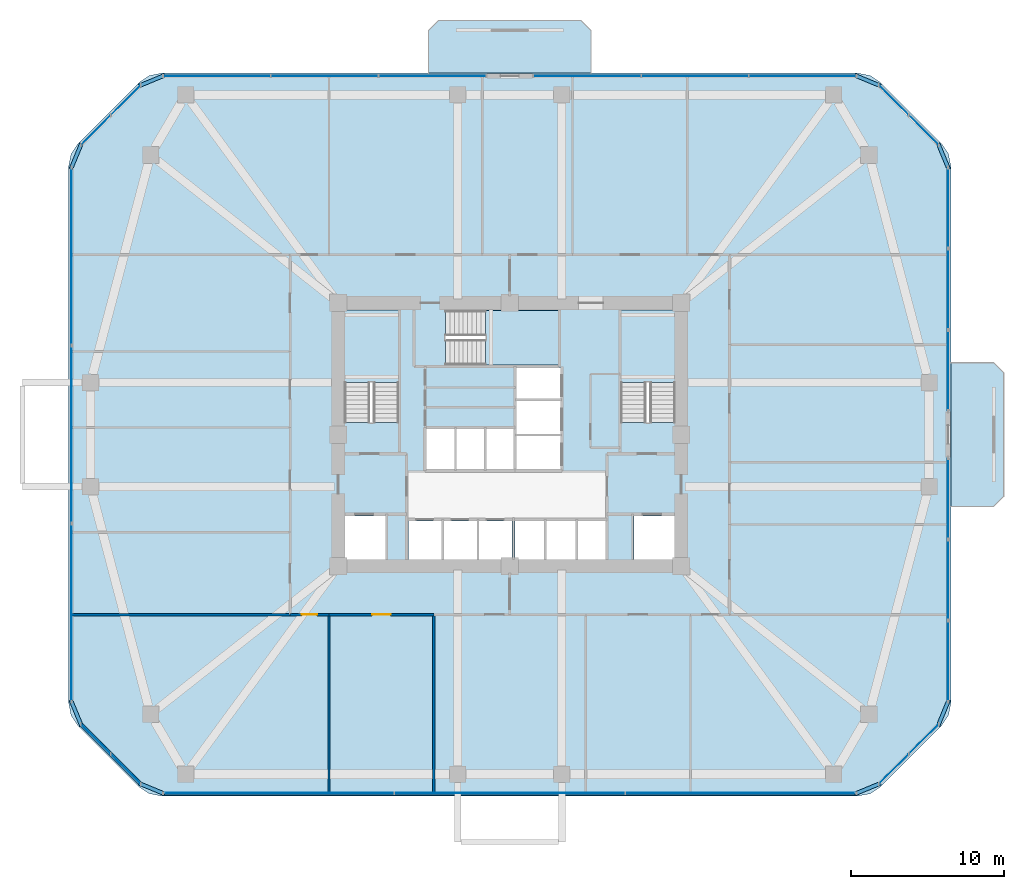
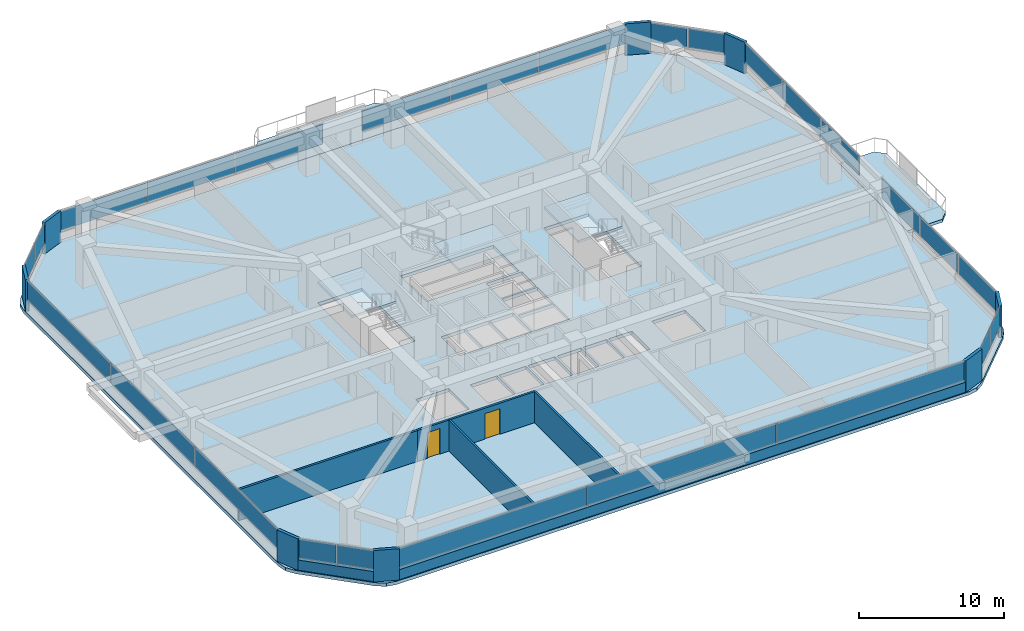
# One storey, part 8 of 14: 34 plates, 7 walls, 6 slabs, 2 doors, 2 openings, 13 elements without a shape of their own.
"""IFC4 building model written with IfcOpenShell, lengths in metres."""

from ifc_helpers import new_model, si_unit, derived_unit, direction, frame, frame_2d, origin, origin_2d, place, context, subcontext, project, spatial, polyline, rectangle, outline, extrude, material, layer, layer_set, type_object, element, fill, aggregate, save


model = new_model("IFC4")

# Units and contexts
model_context = context("Model", 3, precision=1e-05, world=origin(), true_north=direction((0.0, 1.0)))
body_context = subcontext(model_context, "Body", "Model", "MODEL_VIEW")
ifc_project = project(units=[si_unit("LENGTHUNIT", "METRE"), si_unit("AREAUNIT", "SQUARE_METRE"), si_unit("VOLUMEUNIT", "CUBIC_METRE"), si_unit("PLANEANGLEUNIT", "RADIAN"), si_unit("MASSUNIT", "GRAM", prefix="KILO"), derived_unit("THERMALTRANSMITTANCEUNIT", [(si_unit("POWERUNIT", "WATT"), 1), (si_unit("LENGTHUNIT", "METRE"), -2), (si_unit("THERMODYNAMICTEMPERATUREUNIT", "KELVIN"), -1)])], contexts=[model_context])

# Site, building, storey
site_placement = place(None, origin())
site = spatial("IfcSite", under=ifc_project, at=site_placement, CompositionType="ELEMENT")
building_placement = place(site_placement, origin())
building = spatial("IfcBuilding", under=site, at=building_placement, Name="Koralith Skygarden Medical Center", CompositionType="ELEMENT")
storey_placement = place(building_placement, frame((0.0, 0.0, 45.5400390625)))
storey = spatial("IfcBuildingStorey", under=building, at=storey_placement, Name="L11", CompositionType="ELEMENT", Elevation=45.5400390625)

# Curtain wall, plates
ifc_material_1 = material(Name="Clear Laminated Glass", Category="glass")
curtain_wall_type = type_object("IfcCurtainWallType", Name="CW-2 Zone 1 Hurricane Unitised Curtain Wall", PredefinedType="NOTDEFINED", material=ifc_material_1)
curtain_wall_1_placement = place(storey_placement, origin())
curtain_wall_1 = element("IfcCurtainWall", 1, at=curtain_wall_1_placement, inside=storey, type_object=curtain_wall_type, Name="Curtain Wall CW-L11-S", PredefinedType="NOTDEFINED")
ifc_layer_1 = layer(ifc_material_1, 0.031982421875)
ifc_layer_set_1 = layer_set([ifc_layer_1], Name="Clear Laminated Glass")
plate_type_1 = type_object("IfcPlateType", Name="CW-2 Hurricane Laminated IGU Panel 32", PredefinedType="CURTAIN_PANEL", material=ifc_layer_set_1)
plate_1_placement = place(storey_placement, frame((21.903076171875, 2.47998046875, 0.919921875), z_axis=(0.0, 0.0, 1.0), x_axis=(1.0, 0.0, 0.0)))
plate_1 = element("IfcPlate", 2, at=plate_1_placement, type_object=plate_type_1, Name="CW-L11-S Glazed Panel 1", PredefinedType="CURTAIN_PANEL", context=body_context, shape_type="SweptSolid", body=[
    extrude(rectangle(XDim=15.007080078125, YDim=0.031982421875, at=origin_2d()), origin(), (0.0, 0.0, 1.0), 1.659912109375),
])
plate_2_placement = place(storey_placement, frame((37.0, 2.47998046875, 0.919921875), z_axis=(0.0, 0.0, 1.0), x_axis=(1.0, 0.0, 0.0)))
plate_2 = element("IfcPlate", 3, at=plate_2_placement, type_object=plate_type_1, Name="CW-L11-S Glazed Panel 2", PredefinedType="CURTAIN_PANEL", context=body_context, shape_type="SweptSolid", body=[
    extrude(rectangle(XDim=15.007080078125, YDim=0.031982421875, at=origin_2d()), origin(), (0.0, 0.0, 1.0), 1.659912109375),
])
plate_3_placement = place(storey_placement, frame((52.096923828125, 2.47998046875, 0.919921875), z_axis=(0.0, 0.0, 1.0), x_axis=(1.0, 0.0, 0.0)))
plate_3 = element("IfcPlate", 4, at=plate_3_placement, type_object=plate_type_1, Name="CW-L11-S Glazed Panel 3", PredefinedType="CURTAIN_PANEL", context=body_context, shape_type="SweptSolid", body=[
    extrude(rectangle(XDim=15.007080078125, YDim=0.031982421875, at=origin_2d()), origin(), (0.0, 0.0, 1.0), 1.659912109375),
])
aggregate(curtain_wall_1, [plate_1, plate_2, plate_3])

curtain_wall_2_placement = place(storey_placement, origin())
curtain_wall_2 = element("IfcCurtainWall", 5, at=curtain_wall_2_placement, inside=storey, type_object=curtain_wall_type, Name="Curtain Wall CW-L11-SE", PredefinedType="NOTDEFINED")
plate_4_placement = place(storey_placement, frame((62.076904296875, 4.06201171875, 0.919921875), z_axis=(0.0, 0.0, 1.0), x_axis=(0.707106781187, 0.707106781187, 0.0)))
plate_4 = element("IfcPlate", 6, at=plate_4_placement, type_object=plate_type_1, Name="CW-L11-SE Glazed Panel 1", PredefinedType="CURTAIN_PANEL", context=body_context, shape_type="SweptSolid", body=[
    extrude(rectangle(XDim=2.68408203125, YDim=0.031982421875, at=origin_2d()), origin(), (0.0, 0.0, 1.0), 1.659912109375),
])
plate_5_placement = place(storey_placement, frame((64.0380859375, 6.02294921875, 0.919921875), z_axis=(0.0, 0.0, 1.0), x_axis=(0.707106781187, 0.707106781187, 0.0)))
plate_5 = element("IfcPlate", 7, at=plate_5_placement, type_object=plate_type_1, Name="CW-L11-SE Glazed Panel 2", PredefinedType="CURTAIN_PANEL", context=body_context, shape_type="SweptSolid", body=[
    extrude(rectangle(XDim=2.68408203125, YDim=0.031982421875, at=origin_2d()), origin(), (0.0, 0.0, 1.0), 1.659912109375),
])
aggregate(curtain_wall_2, [plate_4, plate_5])

curtain_wall_3_placement = place(storey_placement, origin())
curtain_wall_3 = element("IfcCurtainWall", 8, at=curtain_wall_3_placement, inside=storey, type_object=curtain_wall_type, Name="Curtain Wall CW-L11-E-L", PredefinedType="NOTDEFINED")
plate_6_placement = place(storey_placement, frame((65.6201171875, 11.10595703125, 0.919921875), z_axis=(0.0, 0.0, 1.0), x_axis=(0.0, 1.0, 0.0)))
plate_6 = element("IfcPlate", 9, at=plate_6_placement, type_object=plate_type_1, Name="CW-L11-E-L Glazed Panel 1", PredefinedType="CURTAIN_PANEL", context=body_context, shape_type="SweptSolid", body=[
    extrude(rectangle(XDim=5.2119140625, YDim=0.031982421875, at=origin_2d()), origin(), (0.0, 0.0, 1.0), 1.659912109375),
])
plate_7_placement = place(storey_placement, frame((65.6201171875, 16.406982421875, 0.919921875), z_axis=(0.0, 0.0, 1.0), x_axis=(0.0, 1.0, 0.0)))
plate_7 = element("IfcPlate", 10, at=plate_7_placement, type_object=plate_type_1, Name="CW-L11-E-L Glazed Panel 2", PredefinedType="CURTAIN_PANEL", context=body_context, shape_type="SweptSolid", body=[
    extrude(rectangle(XDim=5.2119140625, YDim=0.031982421875, at=origin_2d()), origin(), (0.0, 0.0, 1.0), 1.659912109375),
])
plate_8_placement = place(storey_placement, frame((65.6201171875, 21.708984375, 0.919921875), z_axis=(0.0, 0.0, 1.0), x_axis=(0.0, 1.0, 0.0)))
plate_8 = element("IfcPlate", 11, at=plate_8_placement, type_object=plate_type_1, Name="CW-L11-E-L Glazed Panel 3", PredefinedType="CURTAIN_PANEL", context=body_context, shape_type="SweptSolid", body=[
    extrude(rectangle(XDim=5.2119140625, YDim=0.031982421875, at=origin_2d()), origin(), (0.0, 0.0, 1.0), 1.659912109375),
])
aggregate(curtain_wall_3, [plate_6, plate_7, plate_8])

curtain_wall_4_placement = place(storey_placement, origin())
curtain_wall_4 = element("IfcCurtainWall", 12, at=curtain_wall_4_placement, inside=storey, type_object=curtain_wall_type, Name="Curtain Wall CW-L11-E-R", PredefinedType="NOTDEFINED")
plate_9_placement = place(storey_placement, frame((65.6201171875, 30.091064453125, 0.919921875), z_axis=(0.0, 0.0, 1.0), x_axis=(0.0, 1.0, 0.0)))
plate_9 = element("IfcPlate", 13, at=plate_9_placement, type_object=plate_type_1, Name="CW-L11-E-R Glazed Panel 1", PredefinedType="CURTAIN_PANEL", context=body_context, shape_type="SweptSolid", body=[
    extrude(rectangle(XDim=5.2119140625, YDim=0.031982421875, at=origin_2d()), origin(), (0.0, 0.0, 1.0), 1.659912109375),
])
plate_10_placement = place(storey_placement, frame((65.6201171875, 35.39208984375, 0.919921875), z_axis=(0.0, 0.0, 1.0), x_axis=(0.0, 1.0, 0.0)))
plate_10 = element("IfcPlate", 14, at=plate_10_placement, type_object=plate_type_1, Name="CW-L11-E-R Glazed Panel 2", PredefinedType="CURTAIN_PANEL", context=body_context, shape_type="SweptSolid", body=[
    extrude(rectangle(XDim=5.2119140625, YDim=0.031982421875, at=origin_2d()), origin(), (0.0, 0.0, 1.0), 1.659912109375),
])
plate_11_placement = place(storey_placement, frame((65.6201171875, 40.694091796875, 0.919921875), z_axis=(0.0, 0.0, 1.0), x_axis=(0.0, 1.0, 0.0)))
plate_11 = element("IfcPlate", 15, at=plate_11_placement, type_object=plate_type_1, Name="CW-L11-E-R Glazed Panel 3", PredefinedType="CURTAIN_PANEL", context=body_context, shape_type="SweptSolid", body=[
    extrude(rectangle(XDim=5.2119140625, YDim=0.031982421875, at=origin_2d()), origin(), (0.0, 0.0, 1.0), 1.659912109375),
])
aggregate(curtain_wall_4, [plate_9, plate_10, plate_11])

curtain_wall_5_placement = place(storey_placement, origin())
curtain_wall_5 = element("IfcCurtainWall", 16, at=curtain_wall_5_placement, inside=storey, type_object=curtain_wall_type, Name="Curtain Wall CW-L11-NE", PredefinedType="NOTDEFINED")
plate_12_placement = place(storey_placement, frame((64.0380859375, 45.777099609375, 0.919921875), z_axis=(0.0, 0.0, 1.0), x_axis=(-0.707106781187, 0.707106781187, 0.0)))
plate_12 = element("IfcPlate", 17, at=plate_12_placement, type_object=plate_type_1, Name="CW-L11-NE Glazed Panel 1", PredefinedType="CURTAIN_PANEL", context=body_context, shape_type="SweptSolid", body=[
    extrude(rectangle(XDim=2.68408203125, YDim=0.031982421875, at=origin_2d()), origin(), (0.0, 0.0, 1.0), 1.659912109375),
])
plate_13_placement = place(storey_placement, frame((62.076904296875, 47.738037109375, 0.919921875), z_axis=(0.0, 0.0, 1.0), x_axis=(-0.707106781187, 0.707106781187, 0.0)))
plate_13 = element("IfcPlate", 18, at=plate_13_placement, type_object=plate_type_1, Name="CW-L11-NE Glazed Panel 2", PredefinedType="CURTAIN_PANEL", context=body_context, shape_type="SweptSolid", body=[
    extrude(rectangle(XDim=2.68408203125, YDim=0.031982421875, at=origin_2d()), origin(), (0.0, 0.0, 1.0), 1.659912109375),
])
aggregate(curtain_wall_5, [plate_12, plate_13])

curtain_wall_6_placement = place(storey_placement, origin())
curtain_wall_6 = element("IfcCurtainWall", 19, at=curtain_wall_6_placement, inside=storey, type_object=curtain_wall_type, Name="Curtain Wall CW-L11-N-L", PredefinedType="NOTDEFINED")
plate_14_placement = place(storey_placement, frame((56.1279296875, 49.320068359375, 0.919921875), z_axis=(0.0, 0.0, 1.0), x_axis=(-1.0, 0.0, 0.0)))
plate_14 = element("IfcPlate", 20, at=plate_14_placement, type_object=plate_type_1, Name="CW-L11-N-L Glazed Panel 1", PredefinedType="CURTAIN_PANEL", context=body_context, shape_type="SweptSolid", body=[
    extrude(rectangle(XDim=6.945068359375, YDim=0.031982421875, at=origin_2d()), origin(), (0.0, 0.0, 1.0), 1.659912109375),
])
plate_15_placement = place(storey_placement, frame((49.093017578125, 49.320068359375, 0.919921875), z_axis=(0.0, 0.0, 1.0), x_axis=(-1.0, 0.0, 0.0)))
plate_15 = element("IfcPlate", 21, at=plate_15_placement, type_object=plate_type_1, Name="CW-L11-N-L Glazed Panel 2", PredefinedType="CURTAIN_PANEL", context=body_context, shape_type="SweptSolid", body=[
    extrude(rectangle(XDim=6.945068359375, YDim=0.031982421875, at=origin_2d()), origin(), (0.0, 0.0, 1.0), 1.659912109375),
])
plate_16_placement = place(storey_placement, frame((42.05810546875, 49.320068359375, 0.919921875), z_axis=(0.0, 0.0, 1.0), x_axis=(-1.0, 0.0, 0.0)))
plate_16 = element("IfcPlate", 22, at=plate_16_placement, type_object=plate_type_1, Name="CW-L11-N-L Glazed Panel 3", PredefinedType="CURTAIN_PANEL", context=body_context, shape_type="SweptSolid", body=[
    extrude(rectangle(XDim=6.945068359375, YDim=0.031982421875, at=origin_2d()), origin(), (0.0, 0.0, 1.0), 1.659912109375),
])
aggregate(curtain_wall_6, [plate_14, plate_15, plate_16])

curtain_wall_7_placement = place(storey_placement, origin())
curtain_wall_7 = element("IfcCurtainWall", 23, at=curtain_wall_7_placement, inside=storey, type_object=curtain_wall_type, Name="Curtain Wall CW-L11-N-R", PredefinedType="NOTDEFINED")
plate_17_placement = place(storey_placement, frame((31.943115234375, 49.320068359375, 0.919921875), z_axis=(0.0, 0.0, 1.0), x_axis=(-1.0, 0.0, 0.0)))
plate_17 = element("IfcPlate", 24, at=plate_17_placement, type_object=plate_type_1, Name="CW-L11-N-R Glazed Panel 1", PredefinedType="CURTAIN_PANEL", context=body_context, shape_type="SweptSolid", body=[
    extrude(rectangle(XDim=6.945068359375, YDim=0.031982421875, at=origin_2d()), origin(), (0.0, 0.0, 1.0), 1.659912109375),
])
plate_18_placement = place(storey_placement, frame((24.906982421875, 49.320068359375, 0.919921875), z_axis=(0.0, 0.0, 1.0), x_axis=(-1.0, 0.0, 0.0)))
plate_18 = element("IfcPlate", 25, at=plate_18_placement, type_object=plate_type_1, Name="CW-L11-N-R Glazed Panel 2", PredefinedType="CURTAIN_PANEL", context=body_context, shape_type="SweptSolid", body=[
    extrude(rectangle(XDim=6.945068359375, YDim=0.031982421875, at=origin_2d()), origin(), (0.0, 0.0, 1.0), 1.659912109375),
])
plate_19_placement = place(storey_placement, frame((17.873046875, 49.320068359375, 0.919921875), z_axis=(0.0, 0.0, 1.0), x_axis=(-1.0, 0.0, 0.0)))
plate_19 = element("IfcPlate", 26, at=plate_19_placement, type_object=plate_type_1, Name="CW-L11-N-R Glazed Panel 3", PredefinedType="CURTAIN_PANEL", context=body_context, shape_type="SweptSolid", body=[
    extrude(rectangle(XDim=6.945068359375, YDim=0.031982421875, at=origin_2d()), origin(), (0.0, 0.0, 1.0), 1.659912109375),
])
aggregate(curtain_wall_7, [plate_17, plate_18, plate_19])

curtain_wall_8_placement = place(storey_placement, origin())
curtain_wall_8 = element("IfcCurtainWall", 27, at=curtain_wall_8_placement, inside=storey, type_object=curtain_wall_type, Name="Curtain Wall CW-L11-NW", PredefinedType="NOTDEFINED")
plate_20_placement = place(storey_placement, frame((11.923095703125, 47.738037109375, 0.919921875), z_axis=(0.0, 0.0, 1.0), x_axis=(-0.707106781187, -0.707106781187, 0.0)))
plate_20 = element("IfcPlate", 28, at=plate_20_placement, type_object=plate_type_1, Name="CW-L11-NW Glazed Panel 1", PredefinedType="CURTAIN_PANEL", context=body_context, shape_type="SweptSolid", body=[
    extrude(rectangle(XDim=2.68408203125, YDim=0.031982421875, at=origin_2d()), origin(), (0.0, 0.0, 1.0), 1.659912109375),
])
plate_21_placement = place(storey_placement, frame((9.9619140625, 45.777099609375, 0.919921875), z_axis=(0.0, 0.0, 1.0), x_axis=(-0.707106781187, -0.707106781187, 0.0)))
plate_21 = element("IfcPlate", 29, at=plate_21_placement, type_object=plate_type_1, Name="CW-L11-NW Glazed Panel 2", PredefinedType="CURTAIN_PANEL", context=body_context, shape_type="SweptSolid", body=[
    extrude(rectangle(XDim=2.68408203125, YDim=0.031982421875, at=origin_2d()), origin(), (0.0, 0.0, 1.0), 1.659912109375),
])
aggregate(curtain_wall_8, [plate_20, plate_21])

curtain_wall_9_placement = place(storey_placement, origin())
curtain_wall_9 = element("IfcCurtainWall", 30, at=curtain_wall_9_placement, inside=storey, type_object=curtain_wall_type, Name="Curtain Wall CW-L11-W", PredefinedType="NOTDEFINED")
plate_22_placement = place(storey_placement, frame((8.3798828125, 37.530029296875, 0.919921875), z_axis=(0.0, 0.0, 1.0), x_axis=(0.0, -1.0, 0.0)))
plate_22 = element("IfcPlate", 31, at=plate_22_placement, type_object=plate_type_1, Name="CW-L11-W Glazed Panel 1", PredefinedType="CURTAIN_PANEL", context=body_context, shape_type="SweptSolid", body=[
    extrude(rectangle(XDim=11.5400390625, YDim=0.031982421875, at=origin_2d()), origin(), (0.0, 0.0, 1.0), 1.659912109375),
])
plate_23_placement = place(storey_placement, frame((8.3798828125, 25.89990234375, 0.919921875), z_axis=(0.0, 0.0, 1.0), x_axis=(0.0, -1.0, 0.0)))
plate_23 = element("IfcPlate", 32, at=plate_23_placement, type_object=plate_type_1, Name="CW-L11-W Glazed Panel 2", PredefinedType="CURTAIN_PANEL", context=body_context, shape_type="SweptSolid", body=[
    extrude(rectangle(XDim=11.5400390625, YDim=0.031982421875, at=origin_2d()), origin(), (0.0, 0.0, 1.0), 1.659912109375),
])
plate_24_placement = place(storey_placement, frame((8.3798828125, 14.27001953125, 0.919921875), z_axis=(0.0, 0.0, 1.0), x_axis=(0.0, -1.0, 0.0)))
plate_24 = element("IfcPlate", 33, at=plate_24_placement, type_object=plate_type_1, Name="CW-L11-W Glazed Panel 3", PredefinedType="CURTAIN_PANEL", context=body_context, shape_type="SweptSolid", body=[
    extrude(rectangle(XDim=11.5400390625, YDim=0.031982421875, at=origin_2d()), origin(), (0.0, 0.0, 1.0), 1.659912109375),
])
aggregate(curtain_wall_9, [plate_22, plate_23, plate_24])

curtain_wall_10_placement = place(storey_placement, origin())
curtain_wall_10 = element("IfcCurtainWall", 34, at=curtain_wall_10_placement, inside=storey, type_object=curtain_wall_type, Name="Curtain Wall CW-L11-SW", PredefinedType="NOTDEFINED")
plate_25_placement = place(storey_placement, frame((9.9619140625, 6.02294921875, 0.919921875), z_axis=(0.0, 0.0, 1.0), x_axis=(0.707106781187, -0.707106781187, 0.0)))
plate_25 = element("IfcPlate", 35, at=plate_25_placement, type_object=plate_type_1, Name="CW-L11-SW Glazed Panel 1", PredefinedType="CURTAIN_PANEL", context=body_context, shape_type="SweptSolid", body=[
    extrude(rectangle(XDim=2.68408203125, YDim=0.031982421875, at=origin_2d()), origin(), (0.0, 0.0, 1.0), 1.659912109375),
])
plate_26_placement = place(storey_placement, frame((11.923095703125, 4.06201171875, 0.919921875), z_axis=(0.0, 0.0, 1.0), x_axis=(0.707106781187, -0.707106781187, 0.0)))
plate_26 = element("IfcPlate", 36, at=plate_26_placement, type_object=plate_type_1, Name="CW-L11-SW Glazed Panel 2", PredefinedType="CURTAIN_PANEL", context=body_context, shape_type="SweptSolid", body=[
    extrude(rectangle(XDim=2.68408203125, YDim=0.031982421875, at=origin_2d()), origin(), (0.0, 0.0, 1.0), 1.659912109375),
])
aggregate(curtain_wall_10, [plate_25, plate_26])

# Slabs
ifc_material_2 = material(Name="Concrete C45/55", Category="concrete")
ifc_layer_2 = layer(ifc_material_2, 0.260009765625)
ifc_layer_set_2 = layer_set([ifc_layer_2], Name="Concrete C45/55")
slab_type_1 = type_object("IfcSlabType", Name="Cantilevered Planted Balcony Slab 260", PredefinedType="FLOOR", material=ifc_layer_set_2)
slab_1_placement = place(storey_placement, frame((0.0, 0.0, -0.260009765625)))
element("IfcSlab", 37, at=slab_1_placement, inside=storey, type_object=slab_type_1, Name="L11 N Planted Sky-Garden Balcony Slab", PredefinedType="FLOOR", context=body_context, shape_type="SweptSolid", body=[
    extrude(outline(polyline([(31.699951171875, 49.5), (42.300048828125, 49.5), (42.300048828125, 52.300048828125), (41.64990234375, 52.949951171875), (32.35009765625, 52.949951171875), (31.699951171875, 52.300048828125), (31.699951171875, 49.5)])), origin(), (0.0, 0.0, 1.0), 0.260009765625),
])
slab_2_placement = place(storey_placement, frame((0.0, 0.0, -0.260009765625)))
element("IfcSlab", 38, at=slab_2_placement, inside=storey, type_object=slab_type_1, Name="L11 E Planted Sky-Garden Balcony Slab", PredefinedType="FLOOR", context=body_context, shape_type="SweptSolid", body=[
    extrude(outline(polyline([(65.800048828125, 21.199951171875), (68.60009765625, 21.199951171875), (69.25, 21.85009765625), (69.25, 29.949951171875), (68.60009765625, 30.60009765625), (65.800048828125, 30.60009765625), (65.800048828125, 21.199951171875)])), origin(), (0.0, 0.0, 1.0), 0.260009765625),
])

# Stair, slab
stair_type = type_object("IfcStairType", Name="Core Exit Dogleg Concrete Stair", PredefinedType="HALF_TURN_STAIR", material=ifc_material_2)
stair_1_placement = place(storey_placement, origin())
stair_1 = element("IfcStair", 39, at=stair_1_placement, inside=storey, type_object=stair_type, Name="L11 Smokeproof Exit Stair ST1", PredefinedType="HALF_TURN_STAIR")
ifc_layer_3 = layer(ifc_material_2, 0.199951171875)
ifc_layer_set_3 = layer_set([ifc_layer_3], Name="Concrete C45/55")
slab_type_2 = type_object("IfcSlabType", Name="Core Exit Concrete Stair Landing 200", PredefinedType="LANDING", material=ifc_layer_set_3)
slab_3_placement = place(storey_placement, frame((0.0, 0.0, 1.599853515625)))
slab_3 = element("IfcSlab", 40, at=slab_3_placement, type_object=slab_type_2, Name="ST1 landing 1", PredefinedType="LANDING", context=body_context, shape_type="SweptSolid", body=[
    extrude(outline(polyline([(29.75, 29.31005859375), (29.75, 34.050048828125), (26.199951171875, 34.050048828125), (26.199951171875, 29.31005859375), (29.75, 29.31005859375)])), origin(), (0.0, 0.0, 1.0), 0.2001953125),
])
aggregate(stair_1, [slab_3])

stair_2_placement = place(storey_placement, origin())
stair_2 = element("IfcStair", 41, at=stair_2_placement, inside=storey, type_object=stair_type, Name="L11 Smokeproof Exit Stair ST2", PredefinedType="HALF_TURN_STAIR")
slab_4_placement = place(storey_placement, frame((0.0, 0.0, 1.599853515625)))
slab_4 = element("IfcSlab", 42, at=slab_4_placement, type_object=slab_type_2, Name="ST2 landing 1", PredefinedType="LANDING", context=body_context, shape_type="SweptSolid", body=[
    extrude(outline(polyline([(47.800048828125, 29.31005859375), (47.800048828125, 34.050048828125), (44.25, 34.050048828125), (44.25, 29.31005859375), (47.800048828125, 29.31005859375)])), origin(), (0.0, 0.0, 1.0), 0.2001953125),
])
aggregate(stair_2, [slab_4])

stair_3_placement = place(storey_placement, origin())
stair_3 = element("IfcStair", 43, at=stair_3_placement, inside=storey, type_object=stair_type, Name="L11 Smokeproof Exit Stair ST3", PredefinedType="HALF_TURN_STAIR")
slab_5_placement = place(storey_placement, frame((0.0, 0.0, 1.599853515625)))
slab_5 = element("IfcSlab", 44, at=slab_5_placement, type_object=slab_type_2, Name="ST3 landing 1", PredefinedType="LANDING", context=body_context, shape_type="SweptSolid", body=[
    extrude(outline(polyline([(35.409912109375, 30.449951171875), (40.199951171875, 30.449951171875), (40.199951171875, 34.0), (35.409912109375, 34.0), (35.409912109375, 30.449951171875)])), origin(), (0.0, 0.0, 1.0), 0.2001953125),
])
aggregate(stair_3, [slab_5])

# Slab
ifc_layer_4 = layer(ifc_material_2, 0.280029296875)
ifc_layer_set_4 = layer_set([ifc_layer_4], Name="Concrete C45/55")
slab_type_3 = type_object("IfcSlabType", Name="Post-Tensioned Ward Floor Plate 280", PredefinedType="FLOOR", material=ifc_layer_set_4)
slab_6_placement = place(storey_placement, frame((0.0, 0.0, -0.280029296875)))
element("IfcSlab", 45, at=slab_6_placement, inside=storey, type_object=slab_type_3, Name="Level L11 Structural Floor Slab", PredefinedType="FLOOR", context=body_context, shape_type="SweptSolid", body=[
    extrude(outline(polyline([(12.81396484375, 2.885986328125), (13.462890625, 2.451904296875), (14.22802734375, 2.300048828125), (59.77197265625, 2.300048828125), (60.537109375, 2.451904296875), (61.18603515625, 2.885986328125), (65.214111328125, 6.9140625), (65.64794921875, 7.56298828125), (65.800048828125, 8.327880859375), (65.800048828125, 43.471923828125), (65.64794921875, 44.237060546875), (65.214111328125, 44.885986328125), (61.18603515625, 48.9140625), (60.537109375, 49.347900390625), (59.77197265625, 49.5), (14.22802734375, 49.5), (13.462890625, 49.347900390625), (12.81396484375, 48.9140625), (8.785888671875, 44.885986328125), (8.35205078125, 44.237060546875), (8.199951171875, 43.471923828125), (8.199951171875, 8.327880859375), (8.35205078125, 7.56298828125), (8.785888671875, 6.9140625), (12.81396484375, 2.885986328125)]), holes=[polyline([(26.199951171875, 26.705078125), (29.75, 26.705078125), (29.75, 34.050048828125), (26.199951171875, 34.050048828125), (26.199951171875, 26.705078125)]), polyline([(44.25, 26.705078125), (47.800048828125, 26.705078125), (47.800048828125, 34.050048828125), (44.25, 34.050048828125), (44.25, 26.705078125)]), polyline([(32.804931640625, 30.449951171875), (40.199951171875, 30.449951171875), (40.199951171875, 34.0), (32.804931640625, 34.0), (32.804931640625, 30.449951171875)]), polyline([(26.25, 17.75), (28.89990234375, 17.75), (28.89990234375, 20.60009765625), (26.25, 20.60009765625), (26.25, 17.75)]), polyline([(45.10009765625, 17.75), (47.75, 17.75), (47.75, 20.60009765625), (45.10009765625, 20.60009765625), (45.10009765625, 17.75)]), polyline([(30.39990234375, 17.75), (32.550048828125, 17.75), (32.550048828125, 20.25), (30.39990234375, 20.25), (30.39990234375, 17.75)]), polyline([(32.699951171875, 17.75), (34.85009765625, 17.75), (34.85009765625, 20.25), (32.699951171875, 20.25), (32.699951171875, 17.75)]), polyline([(35.0, 17.75), (37.14990234375, 17.75), (37.14990234375, 20.25), (35.0, 20.25), (35.0, 17.75)]), polyline([(37.35009765625, 17.75), (39.25, 17.75), (39.25, 20.25), (37.35009765625, 20.25), (37.35009765625, 17.75)]), polyline([(39.39990234375, 17.75), (41.300048828125, 17.75), (41.300048828125, 20.25), (39.39990234375, 20.25), (39.39990234375, 17.75)]), polyline([(41.449951171875, 17.75), (43.300048828125, 17.75), (43.300048828125, 20.25), (41.449951171875, 20.25), (41.449951171875, 17.75)]), polyline([(31.550048828125, 23.64990234375), (33.39990234375, 23.64990234375), (33.39990234375, 26.25), (31.550048828125, 26.25), (31.550048828125, 23.64990234375)]), polyline([(33.5, 23.64990234375), (35.35009765625, 23.64990234375), (35.35009765625, 26.25), (33.5, 26.25), (33.5, 23.64990234375)]), polyline([(35.449951171875, 23.64990234375), (37.300048828125, 23.64990234375), (37.300048828125, 26.25), (35.449951171875, 26.25), (35.449951171875, 23.64990234375)]), polyline([(37.449951171875, 23.64990234375), (40.300048828125, 23.64990234375), (40.300048828125, 25.800048828125), (37.449951171875, 25.800048828125), (37.449951171875, 23.64990234375)]), polyline([(37.449951171875, 25.949951171875), (40.300048828125, 25.949951171875), (40.300048828125, 28.10009765625), (37.449951171875, 28.10009765625), (37.449951171875, 25.949951171875)]), polyline([(37.449951171875, 28.25), (40.300048828125, 28.25), (40.300048828125, 30.25), (37.449951171875, 30.25), (37.449951171875, 28.25)])]), origin(), (0.0, 0.0, 1.0), 0.280029296875),
])

# Plates
ifc_material_3 = material(Name="Warm Oolitic Limestone Cladding", Category="masonry")
ifc_layer_5 = layer(ifc_material_3, 0.239990234375)
ifc_layer_set_5 = layer_set([ifc_layer_5], Name="Warm Oolitic Limestone Cladding")
plate_type_2 = type_object("IfcPlateType", Name="Rounded-Corner Oolitic Limestone Cladding Panel 240", PredefinedType="USERDEFINED", material=ifc_layer_set_5)
for number, where, z_axis, x_axis, name in (
    (46, (60.3701171875, 2.780029296875, 0.0), (0.0, 0.0, 1.0), (0.92388487569, 0.382670532536, 0.0), "L11 Rounded-Corner Limestone Pier 1"),
    (47, (65.320068359375, 7.72900390625, 0.0), (0.0, 0.0, 1.0), (0.382670532536, 0.92388487569, 0.0), "L11 Rounded-Corner Limestone Pier 2"),
    (48, (65.320068359375, 44.070068359375, 0.0), (0.0, 0.0, 1.0), (-0.382670532536, 0.92388487569, 0.0), "L11 Rounded-Corner Limestone Pier 3"),
    (49, (60.3701171875, 49.02001953125, 0.0), (0.0, 0.0, 1.0), (-0.92388487569, 0.382670532536, 0.0), "L11 Rounded-Corner Limestone Pier 4"),
    (50, (13.6298828125, 49.02001953125, 0.0), (0.0, 0.0, 1.0), (-0.92388487569, -0.382670532536, 0.0), "L11 Rounded-Corner Limestone Pier 5"),
    (51, (8.680908203125, 44.070068359375, 0.0), (0.0, 0.0, 1.0), (-0.382670532536, -0.92388487569, 0.0), "L11 Rounded-Corner Limestone Pier 6"),
    (52, (8.680908203125, 7.72900390625, 0.0), (0.0, 0.0, 1.0), (0.382670532536, -0.92388487569, 0.0), "L11 Rounded-Corner Limestone Pier 7"),
    (53, (13.6298828125, 2.780029296875, 0.0), (0.0, 0.0, 1.0), (0.92388487569, -0.382670532536, 0.0), "L11 Rounded-Corner Limestone Pier 8"),
):
    element("IfcPlate", number, at=place(storey_placement, frame(where, z_axis=z_axis, x_axis=x_axis)), inside=storey, type_object=plate_type_2, Name=name, ObjectType="LIMESTONE CLADDING", PredefinedType="USERDEFINED", context=body_context, shape_type="SweptSolid", body=[
        extrude(rectangle(XDim=1.81103515625, YDim=0.239990234375, at=origin_2d()), origin(), (0.0, 0.0, 1.0), 2.64990234375),
    ])

# Walls
ifc_material_4 = material(Name="Gypsum Board Partition")
ifc_layer_6 = layer(ifc_material_4, 0.14990234375)
ifc_layer_set_6 = layer_set([ifc_layer_6], Name="Gypsum Board Partition")
wall_type_1 = type_object("IfcWallType", Name="Clinical Acoustic Partition 150", PredefinedType="PARTITIONING", material=ifc_layer_set_6)
for number, where, z_axis, x_axis, name in (
    (54, (25.199951171875, 14.14990234375, 0.0), (0.0, 0.0, 1.0), (0.0, -1.0, 0.0), "L11 Clinical Acoustic Partition 150 W-PART-L11-S-01"),
    (55, (32.035888671875, 14.14990234375, 0.0), (0.0, 0.0, 1.0), (0.0, -1.0, 0.0), "L11 Clinical Acoustic Partition 150 W-PART-L11-S-02"),
):
    element("IfcWall", number, at=place(storey_placement, frame(where, z_axis=z_axis, x_axis=x_axis)), inside=storey, type_object=wall_type_1, Name=name, PredefinedType="PARTITIONING", context=body_context, shape_type="SweptSolid", body=[
        extrude(rectangle(XDim=11.64990234375, YDim=0.14990234375, at=frame_2d((5.824951171875, 0.0))), origin(), (0.0, 0.0, 1.0), 2.60986328125),
    ])
ifc_layer_7 = layer(ifc_material_4, 0.1650390625)
ifc_layer_set_7 = layer_set([ifc_layer_7], Name="Gypsum Board Partition")
wall_type_2 = type_object("IfcWallType", Name="Clinical Corridor Partition 165", PredefinedType="PARTITIONING", material=ifc_layer_set_7)
wall_1_placement = place(storey_placement, frame((8.39990234375, 14.14990234375, 0.0), z_axis=(0.0, 0.0, 1.0), x_axis=(1.0, 0.0, 0.0)))
element("IfcWall", 56, at=wall_1_placement, inside=storey, type_object=wall_type_2, Name="L11 Clinical Corridor Partition 165 W-WB-L11-SW", PredefinedType="PARTITIONING", context=body_context, shape_type="SweptSolid", body=[
    extrude(rectangle(XDim=14.25, YDim=0.1650390625, at=frame_2d((7.125, 0.0))), origin(), (0.0, 0.0, 1.0), 2.60986328125),
])

# Wall, opening, door
wall_2_placement = place(storey_placement, frame((22.64990234375, 14.14990234375, 0.0), z_axis=(0.0, 0.0, 1.0), x_axis=(1.0, 0.0, 0.0)))
wall_2 = element("IfcWall", 57, at=wall_2_placement, inside=storey, type_object=wall_type_2, Name="L11 Clinical Corridor Partition 165 W-CORR-L11-S-01", PredefinedType="PARTITIONING", context=body_context, shape_type="SweptSolid", body=[
    extrude(rectangle(XDim=2.550048828125, YDim=0.1650390625, at=frame_2d((1.27490234375, 0.0))), origin(), (0.0, 0.0, 1.0), 2.60986328125),
])
opening_1_placement = place(wall_2_placement, frame((0.77490234375, 0.0, 0.0)))
opening_1 = element("IfcOpeningElement", 58, at=opening_1_placement, cuts=wall_2, Name="Opening D-SUP", PredefinedType="OPENING", context=body_context, shape_type="SweptSolid", body=[
    extrude(rectangle(XDim=1.0, YDim=2.14990234375, at=frame_2d((0.5, 1.074951171875))), frame((0.0, 0.092529296875, 0.0), z_axis=(0.0, -1.0, 0.0), x_axis=(1.0, 0.0, 0.0)), (0.0, 0.0, 1.0), 0.18505859375),
])
ifc_material_5 = material(Name="Aluminium 6063-T6", Category="aluminium")
door_type_1 = type_object("IfcDoorType", Name="Clinical Support Door D-SUP 1000", OperationType="NOTDEFINED", PredefinedType="DOOR", material=ifc_material_5)
door_1_placement = place(opening_1_placement, frame((1.0, 0.0, 0.0), z_axis=(0.0, 0.0, 1.0), x_axis=(-1.0, 0.0, 0.0)))
door_1 = element("IfcDoor", 59, at=door_1_placement, inside=storey, type_object=door_type_1, Name="L11 Family Waiting Sitting Lounge 06 Door", OperationType="SINGLE_SWING_LEFT", OverallHeight=2.14990234375, OverallWidth=1.0, PredefinedType="DOOR", context=body_context, shape_type="SweptSolid", body=[
    extrude(rectangle(XDim=1.0, YDim=2.14990234375, at=frame_2d((0.5, 1.074951171875))), frame((0.0, 0.02490234375, 0.0), z_axis=(0.0, -1.0, 0.0), x_axis=(1.0, 0.0, 0.0)), (0.0, 0.0, 1.0), 0.050048828125),
])
fill(opening_1, door_1)

wall_3_placement = place(storey_placement, frame((25.199951171875, 14.14990234375, 0.0), z_axis=(0.0, 0.0, 1.0), x_axis=(1.0, 0.0, 0.0)))
wall_3 = element("IfcWall", 60, at=wall_3_placement, inside=storey, type_object=wall_type_2, Name="L11 Clinical Corridor Partition 165 W-CORR-L11-S-02", PredefinedType="PARTITIONING", context=body_context, shape_type="SweptSolid", body=[
    extrude(rectangle(XDim=6.8359375, YDim=0.1650390625, at=frame_2d((3.41796875, 0.0))), origin(), (0.0, 0.0, 1.0), 2.60986328125),
])
opening_2_placement = place(wall_3_placement, frame((2.818115234375, 0.0, 0.0)))
opening_2 = element("IfcOpeningElement", 61, at=opening_2_placement, cuts=wall_3, Name="Opening D-CLN", PredefinedType="OPENING", context=body_context, shape_type="SweptSolid", body=[
    extrude(rectangle(XDim=1.199951171875, YDim=2.14990234375, at=frame_2d((0.60009765625, 1.074951171875))), frame((0.0, 0.092529296875, 0.0), z_axis=(0.0, -1.0, 0.0), x_axis=(1.0, 0.0, 0.0)), (0.0, 0.0, 1.0), 0.18505859375),
])
door_type_2 = type_object("IfcDoorType", Name="Clinical Corridor Door D-CLN 1200", OperationType="NOTDEFINED", PredefinedType="DOOR", material=ifc_material_5)
door_2_placement = place(opening_2_placement, frame((1.199951171875, 0.0, 0.0), z_axis=(0.0, 0.0, 1.0), x_axis=(-1.0, 0.0, 0.0)))
door_2 = element("IfcDoor", 62, at=door_2_placement, inside=storey, type_object=door_type_2, Name="L11 Outpatient Triage Exam Room 07 Door", OperationType="SINGLE_SWING_RIGHT", OverallHeight=2.14990234375, OverallWidth=1.199951171875, PredefinedType="DOOR", context=body_context, shape_type="SweptSolid", body=[
    extrude(rectangle(XDim=1.199951171875, YDim=2.14990234375, at=frame_2d((0.60009765625, 1.074951171875))), frame((0.0, 0.02490234375, 0.0), z_axis=(0.0, -1.0, 0.0), x_axis=(1.0, 0.0, 0.0)), (0.0, 0.0, 1.0), 0.050048828125),
])
fill(opening_2, door_2)

# Walls
ifc_layer_8 = layer(ifc_material_3, 0.239990234375)
ifc_layer_set_8 = layer_set([ifc_layer_8], Name="Warm Oolitic Limestone Cladding")
wall_type_3 = type_object("IfcWallType", Name="Limestone Spandrel Sill Backup Wall 240", PredefinedType="SOLIDWALL", material=ifc_layer_set_8)
wall_4_placement = place(storey_placement, frame((14.35498046875, 2.47998046875, 0.0), z_axis=(0.0, 0.0, 1.0), x_axis=(1.0, 0.0, 0.0)))
element("IfcWall", 63, at=wall_4_placement, inside=storey, type_object=wall_type_3, Name="L11 Sill Spandrel S", PredefinedType="SOLIDWALL", context=body_context, shape_type="SweptSolid", body=[
    extrude(rectangle(XDim=45.2900390625, YDim=0.239990234375, at=frame_2d((22.64501953125, 0.0))), origin(), (0.0, 0.0, 1.0), 0.849853515625),
])
wall_5_placement = place(storey_placement, frame((8.98095703125, 7.00390625, 0.0), z_axis=(0.0, 0.0, 1.0), x_axis=(0.707128783731, -0.707084777957, 0.0)))
element("IfcWall", 64, at=wall_5_placement, inside=storey, type_object=wall_type_3, Name="L11 Sill Spandrel SW", PredefinedType="SOLIDWALL", context=body_context, shape_type="SweptSolid", body=[
    extrude(rectangle(XDim=5.5478515625, YDim=0.239990234375, at=frame_2d((2.77392578125, 0.0))), origin(), (0.0, 0.0, 1.0), 0.849853515625),
])

save(model, "model.ifc")
